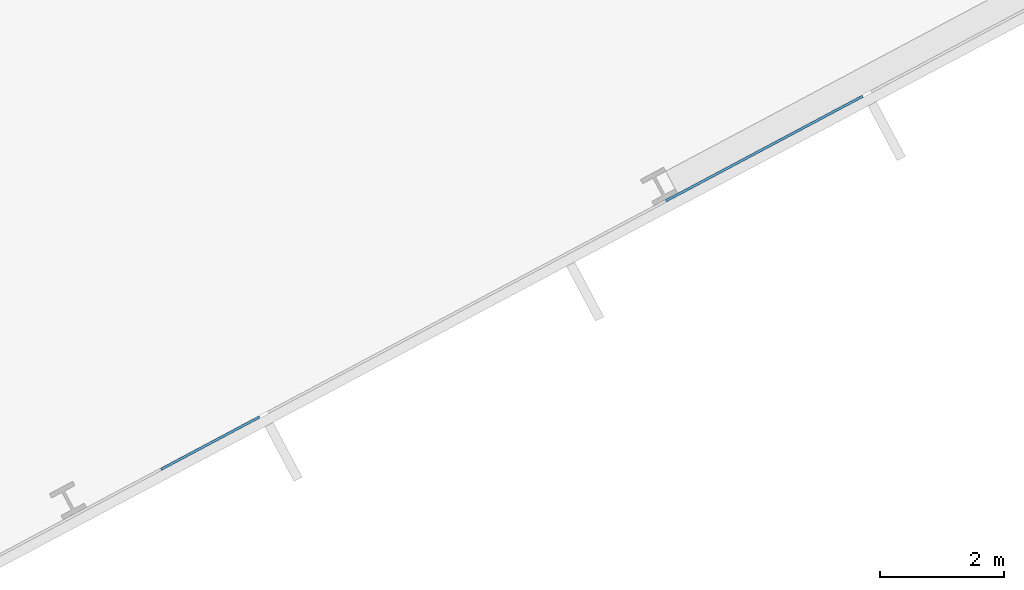
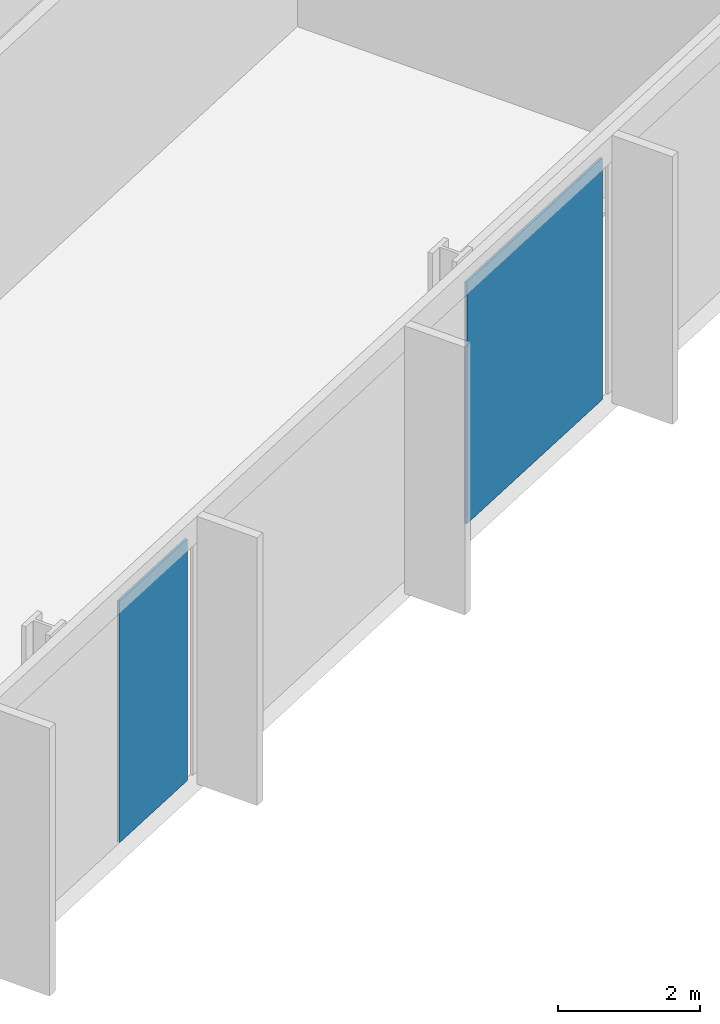
# One storey, part 11 of 30: 2 plates, 1 element without a shape of its own.
"""IFC4 building model written with IfcOpenShell, lengths in metres."""

from ifc_helpers import new_model, si_unit, direction, frame, origin, origin_2d, place, context, subcontext, project, spatial, rectangle, extrude, material, layer, layer_set, type_object, element, aggregate, save


model = new_model("IFC4")

# Units and contexts
model_context = context("Model", 3, precision=1e-05, world=origin(), true_north=direction((0.0, 1.0)))
body_context = subcontext(model_context, "Body", "Model", "MODEL_VIEW")
ifc_project = project(units=[si_unit("LENGTHUNIT", "METRE"), si_unit("AREAUNIT", "SQUARE_METRE"), si_unit("VOLUMEUNIT", "CUBIC_METRE"), si_unit("PLANEANGLEUNIT", "RADIAN"), si_unit("MASSUNIT", "GRAM", prefix="KILO")], contexts=[model_context])

# Site, building, storey
site_placement = place(None, origin())
site = spatial("IfcSite", under=ifc_project, at=site_placement, CompositionType="ELEMENT")
building_placement = place(site_placement, origin())
building = spatial("IfcBuilding", under=site, at=building_placement, Name="Cormorant Relay Tower", CompositionType="ELEMENT")
storey_placement = place(building_placement, frame((0.0, 0.0, 89.199951171875)))
storey = spatial("IfcBuildingStorey", under=building, at=storey_placement, Name="L17", CompositionType="ELEMENT", Elevation=89.199951171875)

# Curtain wall, plates
ifc_material_1 = material(Name="Aluminium 6063-T6 anodised bronze", Category="aluminium")
ifc_layer_1 = layer(ifc_material_1, 0.199951171875)
ifc_layer_set_1 = layer_set([ifc_layer_1], Name="CW1 unitised bronze curtain wall with vertical fins")
curtain_wall_type = type_object("IfcCurtainWallType", Name="CW1 unitised bronze curtain wall with vertical fins", PredefinedType="NOTDEFINED", material=ifc_layer_set_1)
curtain_wall_placement = place(storey_placement, origin())
curtain_wall = element("IfcCurtainWall", 1, at=curtain_wall_placement, inside=storey, type_object=curtain_wall_type, Name="CW1 curtain wall 2", PredefinedType="NOTDEFINED")
ifc_material_2 = material(Name="Tinted laminated glass", Category="glass")
ifc_layer_2 = layer(ifc_material_2, 0.0400390625)
ifc_layer_set_2 = layer_set([ifc_layer_2], Name="CW1 tinted vision panel 1800 module")
plate_type_1 = type_object("IfcPlateType", Name="CW1 tinted vision panel 1800 module", PredefinedType="CURTAIN_PANEL", material=ifc_layer_set_2)
plate_1_placement = place(storey_placement, frame((45.597412109375, 0.43798828125, 0.0), z_axis=(0.0, 0.0, 1.0), x_axis=(0.882947592859, 0.469471562786, 0.0)))
plate_1 = element("IfcPlate", 2, at=plate_1_placement, type_object=plate_type_1, Name="CW1 panel V08", PredefinedType="CURTAIN_PANEL", context=body_context, shape_type="SweptSolid", body=[
    extrude(rectangle(XDim=1.800048828125, YDim=0.0400390625, at=origin_2d()), origin(), (0.0, 0.0, 1.0), 4.14990234375),
])
ifc_material_3 = material(Name="Tinted laminated glass", Category="glass")
ifc_layer_3 = layer(ifc_material_3, 0.0400390625)
ifc_layer_set_3 = layer_set([ifc_layer_3], Name="CW1 tinted vision panel 3600 module")
plate_type_2 = type_object("IfcPlateType", Name="CW1 tinted vision panel 3600 module", PredefinedType="CURTAIN_PANEL", material=ifc_layer_set_3)
plate_2_placement = place(storey_placement, frame((54.5361328125, 5.190673828125, 0.0), z_axis=(0.0, 0.0, 1.0), x_axis=(0.882947592859, 0.469471562786, 0.0)))
plate_2 = element("IfcPlate", 3, at=plate_2_placement, type_object=plate_type_2, Name="CW1 panel V10", PredefinedType="CURTAIN_PANEL", context=body_context, shape_type="SweptSolid", body=[
    extrude(rectangle(XDim=3.60009765625, YDim=0.0400390625, at=origin_2d()), origin(), (0.0, 0.0, 1.0), 4.14990234375),
])
aggregate(curtain_wall, [plate_1, plate_2])

save(model, "model.ifc")
